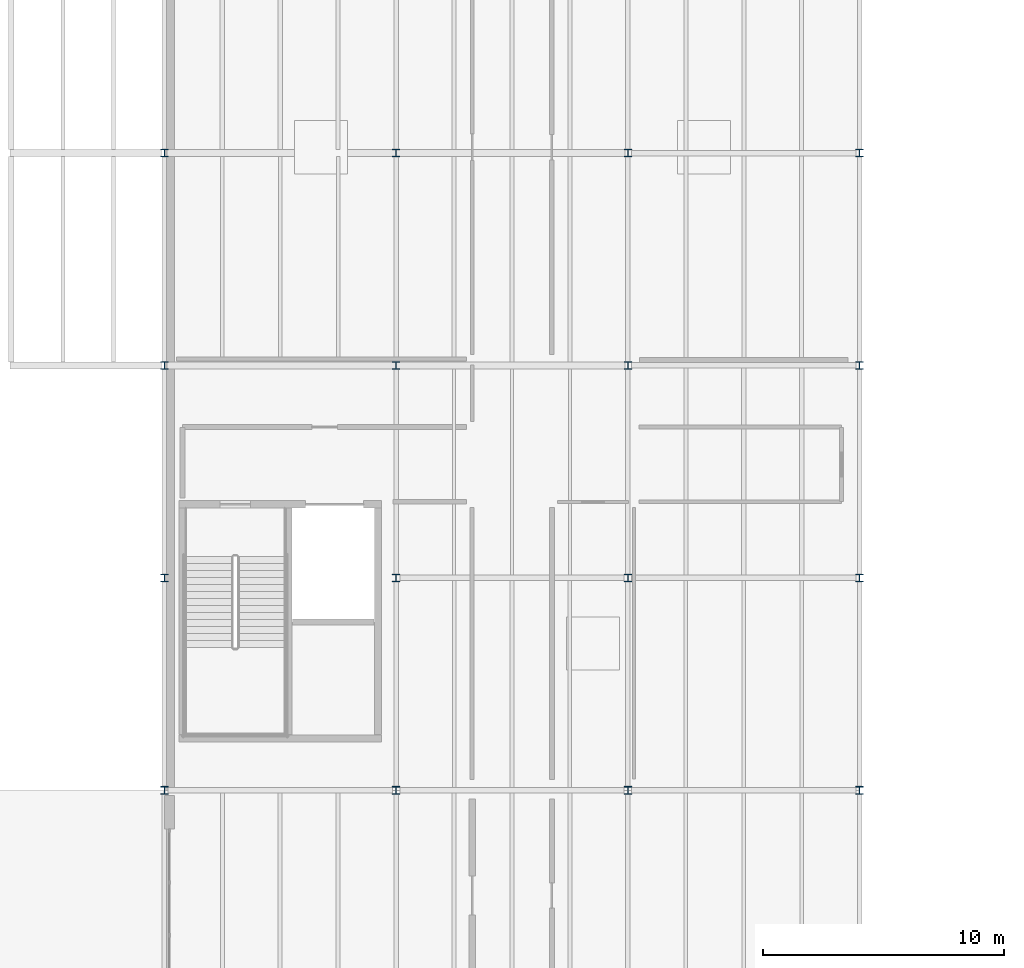
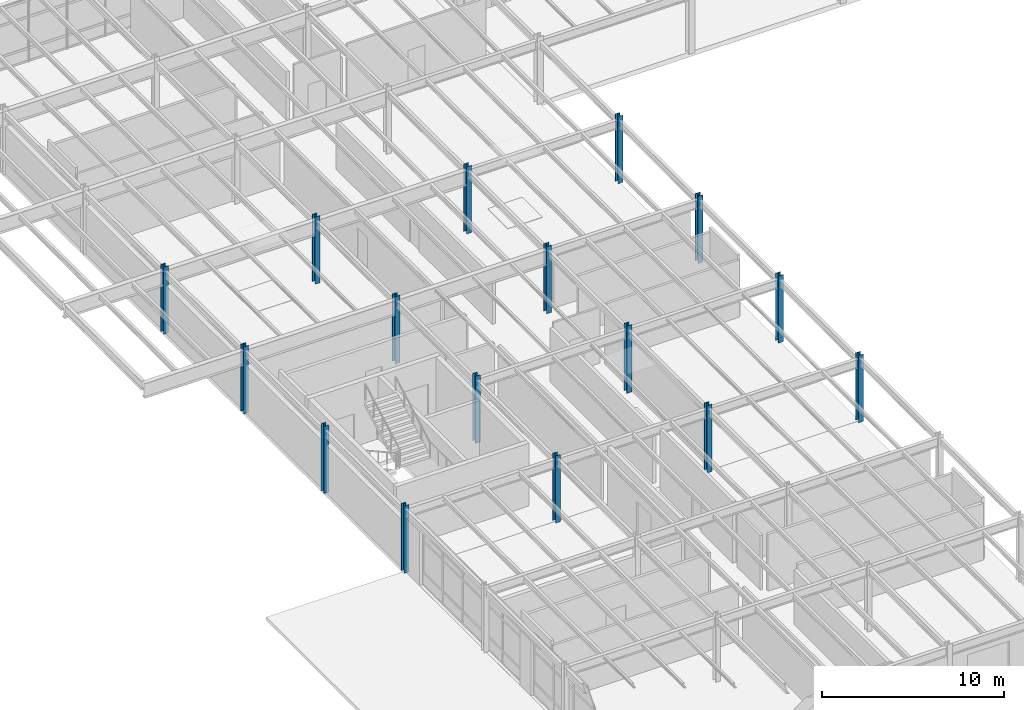
# One storey, part 3 of 77: 16 columns.
"""IFC4 building model written with IfcOpenShell, lengths in metres."""

from ifc_helpers import new_model, si_unit, direction, frame, origin, origin_2d, place, context, subcontext, project, spatial, i_section, extrude, material, material_profile, profile_set, type_object, element, save


model = new_model("IFC4")

# Units and contexts
model_context = context("Model", 3, precision=1e-05, world=origin(), true_north=direction((0.0, 1.0)))
body_context = subcontext(model_context, "Body", "Model", "MODEL_VIEW")
ifc_project = project(units=[si_unit("LENGTHUNIT", "METRE"), si_unit("AREAUNIT", "SQUARE_METRE"), si_unit("VOLUMEUNIT", "CUBIC_METRE"), si_unit("PLANEANGLEUNIT", "RADIAN"), si_unit("MASSUNIT", "GRAM", prefix="KILO")], contexts=[model_context])

# Site, building, storey
site_placement = place(None, origin())
site = spatial("IfcSite", under=ifc_project, at=site_placement, CompositionType="ELEMENT")
building_placement = place(site_placement, origin())
building = spatial("IfcBuilding", under=site, at=building_placement, Name="Sarnbrook Museum", CompositionType="ELEMENT")
storey_placement = place(building_placement, frame((0.0, 0.0, 5.60009765625)))
storey = spatial("IfcBuildingStorey", under=building, at=storey_placement, Name="L01", CompositionType="ELEMENT", Elevation=5.60009765625)

# Columns
ifc_material = material(Name="Structural Steel Grade 300PLUS (AS/NZS 3679.1, fy = 280 MPa for 17 < t <= 40 mm, 300 MPa for t <= 17 mm)", Category="steel")
ifc_material_profile = material_profile(ifc_material, i_section(OverallWidth=0.31103515625, OverallDepth=0.326904296875, WebThickness=0.015625, FlangeThickness=0.02490234375, FilletRadius=0.0166015625, at=origin_2d()), Name="310UC158")
ifc_profile_set = profile_set([ifc_material_profile], Name="Structural Steel Grade 300PLUS (AS/NZS 3679.1, fy = 280 MPa for 17 < t <= 40 mm, 300 MPa for t <= 17 mm)")
column_type = type_object("IfcColumnType", Name="COL-UC310H", PredefinedType="COLUMN", material=ifc_profile_set)
for number, where, z_axis, x_axis, name in (
    (1, (13.60009765625, 39.199951171875, 0.0), (0.0, 0.0, 1.0), (1.0, 0.0, 0.0), "Column 2-E L01"),
    (2, (13.60009765625, 48.0, 0.0), (0.0, 0.0, 1.0), (1.0, 0.0, 0.0), "Column 2-F L01"),
    (3, (13.60009765625, 56.800048828125, 0.0), (0.0, 0.0, 1.0), (1.0, 0.0, 0.0), "Column 2-G L01"),
    (4, (13.60009765625, 65.60009765625, 0.0), (0.0, 0.0, 1.0), (1.0, 0.0, 0.0), "Column 2-H L01"),
    (5, (23.199951171875, 39.199951171875, 0.0), (0.0, 0.0, 1.0), (1.0, 0.0, 0.0), "Column 3-E L01"),
    (6, (23.199951171875, 48.0, 0.0), (0.0, 0.0, 1.0), (1.0, 0.0, 0.0), "Column 3-F L01"),
    (7, (23.199951171875, 56.800048828125, 0.0), (0.0, 0.0, 1.0), (1.0, 0.0, 0.0), "Column 3-G L01"),
    (8, (23.199951171875, 65.60009765625, 0.0), (0.0, 0.0, 1.0), (1.0, 0.0, 0.0), "Column 3-H L01"),
    (9, (32.800048828125, 39.199951171875, 0.0), (0.0, 0.0, 1.0), (1.0, 0.0, 0.0), "Column 4-E L01"),
    (10, (32.800048828125, 48.0, 0.0), (0.0, 0.0, 1.0), (1.0, 0.0, 0.0), "Column 4-F L01"),
    (11, (32.800048828125, 56.800048828125, 0.0), (0.0, 0.0, 1.0), (1.0, 0.0, 0.0), "Column 4-G L01"),
    (12, (32.800048828125, 65.60009765625, 0.0), (0.0, 0.0, 1.0), (1.0, 0.0, 0.0), "Column 4-H L01"),
    (13, (42.39990234375, 39.199951171875, 0.0), (0.0, 0.0, 1.0), (1.0, 0.0, 0.0), "Column 5-E L01"),
    (14, (42.39990234375, 48.0, 0.0), (0.0, 0.0, 1.0), (1.0, 0.0, 0.0), "Column 5-F L01"),
    (15, (42.39990234375, 56.800048828125, 0.0), (0.0, 0.0, 1.0), (1.0, 0.0, 0.0), "Column 5-G L01"),
    (16, (42.39990234375, 65.60009765625, 0.0), (0.0, 0.0, 1.0), (1.0, 0.0, 0.0), "Column 5-H L01"),
):
    element("IfcColumn", number, at=place(storey_placement, frame(where, z_axis=z_axis, x_axis=x_axis)), inside=storey, type_object=column_type, Name=name, PredefinedType="COLUMN", context=body_context, shape_type="SweptSolid", body=[
        extrude(i_section(OverallWidth=0.31103515625, OverallDepth=0.326904296875, WebThickness=0.015625, FlangeThickness=0.02490234375, FilletRadius=0.0166015625, at=origin_2d()), origin(), (0.0, 0.0, 1.0), 4.5),
    ])

save(model, "model.ifc")
